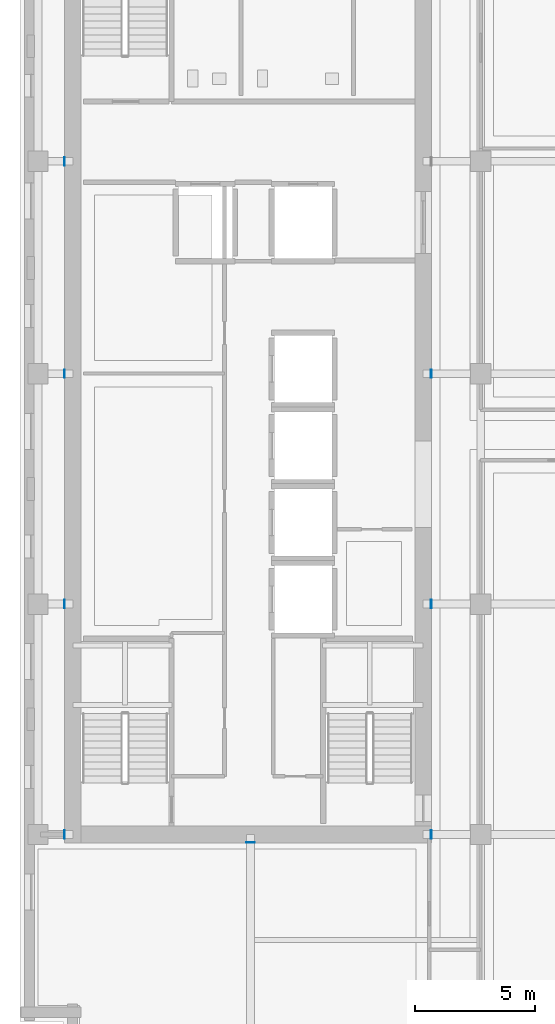
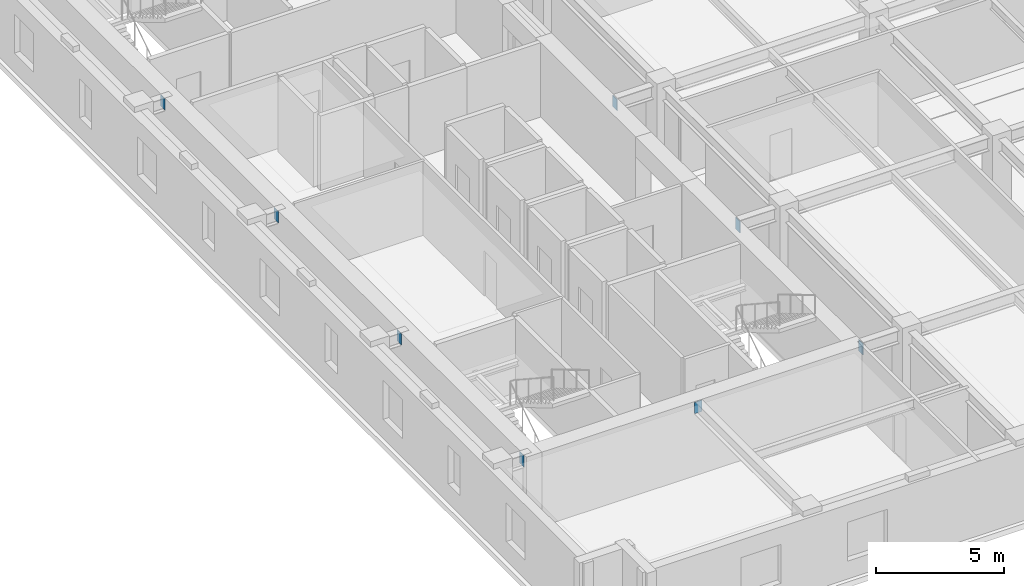
# One storey, part 8 of 14: 8 discrete accessories.
"""IFC4 building model written with IfcOpenShell, lengths in metres."""

from ifc_helpers import new_model, si_unit, direction, frame, origin, origin_2d, place, context, subcontext, project, spatial, rectangle, extrude, material, layer, layer_set, type_object, element, save


model = new_model("IFC4")

# Units and contexts
model_context = context("Model", 3, precision=1e-05, world=origin(), true_north=direction((0.0, 1.0)))
body_context = subcontext(model_context, "Body", "Model", "MODEL_VIEW")
ifc_project = project(units=[si_unit("LENGTHUNIT", "METRE"), si_unit("AREAUNIT", "SQUARE_METRE"), si_unit("VOLUMEUNIT", "CUBIC_METRE"), si_unit("PLANEANGLEUNIT", "RADIAN"), si_unit("MASSUNIT", "GRAM", prefix="KILO")], contexts=[model_context])

# Site, building, storey
site_placement = place(None, origin())
site = spatial("IfcSite", under=ifc_project, at=site_placement, CompositionType="ELEMENT")
building_placement = place(site_placement, origin())
building = spatial("IfcBuilding", under=site, at=building_placement, Name="Norrvale University Quadrangle", CompositionType="ELEMENT")
storey_placement = place(building_placement, frame((0.0, 0.0, 218.0)))
storey = spatial("IfcBuildingStorey", under=building, at=storey_placement, Name="L55", CompositionType="ELEMENT", Elevation=218.0)

# Discrete accessories
ifc_material = material(Name="Steel 350W", Category="steel")
ifc_layer = layer(ifc_material, 0.02490234375, Name="Steel 350W")
ifc_layer_set = layer_set([ifc_layer], Name="Steel 350W")
discrete_accessory_type = type_object("IfcDiscreteAccessoryType", Name="Accessory Cast In Embed Plate", PredefinedType="ANCHORPLATE", material=ifc_layer_set)
for number, where, z_axis, x_axis, name in (
    (1, (1.862548828125, 9.60009765625, 2.9599609375), (0.0, 0.0, 1.0), (1.0, 0.0, 0.0), "Core Wall Cast-in Embed Plate L55-GCW051"),
    (2, (17.137451171875, 9.60009765625, 2.9599609375), (0.0, 0.0, 1.0), (1.0, 0.0, 0.0), "Core Wall Cast-in Embed Plate L55-GCE052"),
    (3, (1.862548828125, 19.199951171875, 2.9599609375), (0.0, 0.0, 1.0), (1.0, 0.0, 0.0), "Core Wall Cast-in Embed Plate L55-GCW053"),
    (4, (17.137451171875, 19.199951171875, 2.9599609375), (0.0, 0.0, 1.0), (1.0, 0.0, 0.0), "Core Wall Cast-in Embed Plate L55-GCE054"),
    (5, (1.862548828125, 28.800048828125, 2.9599609375), (0.0, 0.0, 1.0), (1.0, 0.0, 0.0), "Core Wall Cast-in Embed Plate L55-GCW055"),
    (6, (17.137451171875, 28.800048828125, 2.9599609375), (0.0, 0.0, 1.0), (1.0, 0.0, 0.0), "Core Wall Cast-in Embed Plate L55-GCE056"),
    (7, (1.862548828125, 37.64990234375, 2.9599609375), (0.0, 0.0, 1.0), (1.0, 0.0, 0.0), "Core Wall Cast-in Embed Plate L55-GCW057"),
):
    element("IfcDiscreteAccessory", number, at=place(storey_placement, frame(where, z_axis=z_axis, x_axis=x_axis)), inside=storey, type_object=discrete_accessory_type, Name=name, PredefinedType="ANCHORPLATE", context=body_context, shape_type="SweptSolid", body=[
        extrude(rectangle(XDim=0.02490234375, YDim=0.35009765625, at=origin_2d()), origin(), (0.0, 0.0, 1.0), 0.5400390625),
    ])
discrete_accessory_placement = place(storey_placement, frame((9.60009765625, 9.262451171875, 2.9599609375), z_axis=(0.0, 0.0, 1.0), x_axis=(1.0, 0.0, 0.0)))
element("IfcDiscreteAccessory", 8, at=discrete_accessory_placement, inside=storey, type_object=discrete_accessory_type, Name="Core Wall Cast-in Embed Plate L55-GCS077", PredefinedType="ANCHORPLATE", context=body_context, shape_type="SweptSolid", body=[
    extrude(rectangle(XDim=0.35009765625, YDim=0.02490234375, at=origin_2d()), origin(), (0.0, 0.0, 1.0), 0.5400390625),
])

save(model, "model.ifc")
